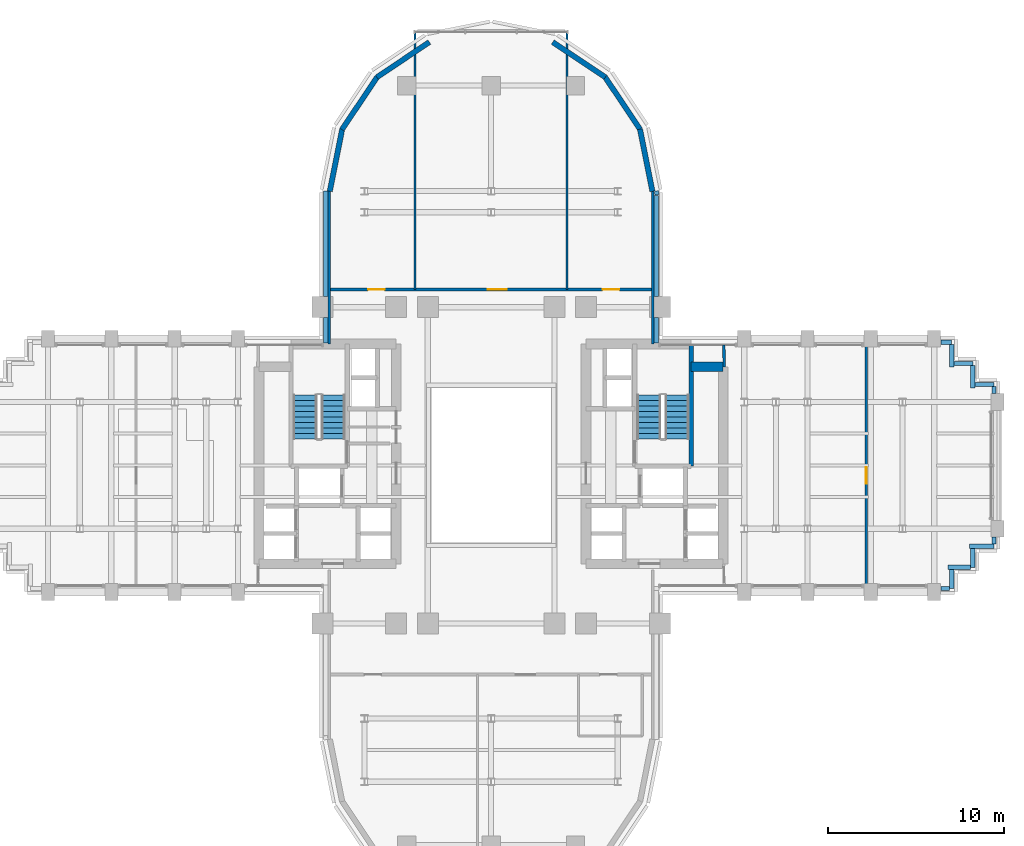
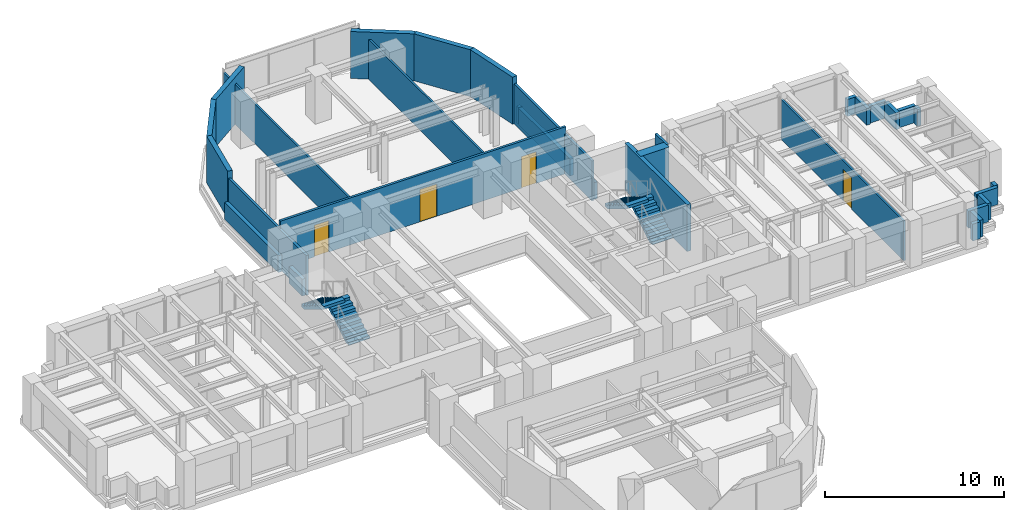
# One storey, part 12 of 16: 32 walls, 4 doors, 4 stair flights, 4 openings, 2 elements without a shape of their own.
"""IFC4 building model written with IfcOpenShell, lengths in metres."""

from ifc_helpers import new_model, si_unit, direction, frame, frame_2d, origin, place, context, subcontext, project, spatial, polyline, rectangle, outline, extrude, source, transform, mapped, material, layer, layer_set, type_object, element, fill, aggregate, save


model = new_model("IFC4")

# Units and contexts
model_context = context("Model", 3, precision=1e-05, world=origin(), true_north=direction((0.0, 1.0)))
body_context = subcontext(model_context, "Body", "Model", "MODEL_VIEW")
ifc_project = project(units=[si_unit("LENGTHUNIT", "METRE"), si_unit("AREAUNIT", "SQUARE_METRE"), si_unit("VOLUMEUNIT", "CUBIC_METRE"), si_unit("PLANEANGLEUNIT", "RADIAN"), si_unit("MASSUNIT", "GRAM", prefix="KILO")], contexts=[model_context])

# Site, building, storey
site_placement = place(None, origin())
site = spatial("IfcSite", under=ifc_project, at=site_placement, CompositionType="ELEMENT")
building_placement = place(site_placement, origin())
building = spatial("IfcBuilding", under=site, at=building_placement, Name="Keilestroom Media Tower", CompositionType="ELEMENT")
storey_placement = place(building_placement, frame((0.0, 0.0, 81.60009765625)))
storey = spatial("IfcBuildingStorey", under=building, at=storey_placement, Name="L21", CompositionType="ELEMENT", Elevation=81.60009765625)

# Walls
ifc_material_1 = material(Name="Precast concrete C40/50", Category="concrete")
ifc_layer_1 = layer(ifc_material_1, 0.300048828125)
ifc_layer_set_1 = layer_set([ifc_layer_1], Name="Precast concrete C40/50")
wall_type_1 = type_object("IfcWallType", Name="Exterior-Masonry-Spandrel-Wall-300", PredefinedType="SOLIDWALL", material=ifc_layer_set_1)
for number, where, z_axis, x_axis, name in (
    (1, (9.1748046875, 15.585205078125, 0.0), (0.0, 0.0, 1.0), (-0.195114232679, 0.980780523974, 0.0), "L21 Lobe Facet Precast Frame Wall 01"),
    (2, (8.48193359375, 19.097412109375, 0.0), (0.0, 0.0, 1.0), (-0.555574187116, 0.831466970246, 0.0), "L21 Lobe Facet Precast Frame Wall 02"),
):
    element("IfcWall", number, at=place(storey_placement, frame(where, z_axis=z_axis, x_axis=x_axis)), inside=storey, type_object=wall_type_1, Name=name, PredefinedType="SOLIDWALL", context=body_context, shape_type="SweptSolid", body=[
        extrude(rectangle(XDim=3.608642578125, YDim=0.300048828125, at=frame_2d((1.80419921875, 0.0))), origin(), (0.0, 0.0, 1.0), 3.199951171875),
    ])
for number, where, z_axis, x_axis, name in (
    (3, (6.497802734375, 22.0771484375, 0.0), (0.0, 0.0, 1.0), (-0.8314749531, 0.555562239868, 0.0), "L21 Lobe Facet Precast Frame Wall 03"),
    (4, (-3.510009765625, 24.073486328125, 0.0), (0.0, 0.0, 1.0), (-0.8314749531, -0.555562239868, 0.0), "L21 Lobe Facet Precast Frame Wall 04"),
):
    element("IfcWall", number, at=place(storey_placement, frame(where, z_axis=z_axis, x_axis=x_axis)), inside=storey, type_object=wall_type_1, Name=name, PredefinedType="SOLIDWALL", context=body_context, shape_type="SweptSolid", body=[
        extrude(rectangle(XDim=3.59326171875, YDim=0.300048828125, at=frame_2d((1.796630859375, 0.0))), origin(), (0.0, 0.0, 1.0), 3.199951171875),
    ])
for number, where, z_axis, x_axis, name in (
    (5, (-6.47705078125, 22.097900390625, 0.0), (0.0, 0.0, 1.0), (-0.555574187116, -0.831466970246, 0.0), "L21 Lobe Facet Precast Frame Wall 05"),
    (6, (-8.470703125, 19.12451171875, 0.0), (0.0, 0.0, 1.0), (-0.195114232679, -0.980780523974, 0.0), "L21 Lobe Facet Precast Frame Wall 06"),
):
    element("IfcWall", number, at=place(storey_placement, frame(where, z_axis=z_axis, x_axis=x_axis)), inside=storey, type_object=wall_type_1, Name=name, PredefinedType="SOLIDWALL", context=body_context, shape_type="SweptSolid", body=[
        extrude(rectangle(XDim=3.608642578125, YDim=0.300048828125, at=frame_2d((1.80419921875, 0.0))), origin(), (0.0, 0.0, 1.0), 3.199951171875),
    ])
ifc_material_2 = material(Name="Gypsum Plasterboard & Steel Stud", Category="steel")
ifc_layer_2 = layer(ifc_material_2, 0.1201171875)
ifc_layer_set_2 = layer_set([ifc_layer_2], Name="Gypsum Plasterboard & Steel Stud")
wall_type_2 = type_object("IfcWallType", Name="Interior-Partition-Wall-120", PredefinedType="PARTITIONING", material=ifc_layer_set_2)
for number, where, z_axis, x_axis, name in (
    (7, (-4.320068359375, 10.0, 0.0), (0.0, 0.0, 1.0), (0.0, 1.0, 0.0), "L21 Interior Wall WP-L21-NL-VW"),
    (8, (4.320068359375, 10.0, 0.0), (0.0, 0.0, 1.0), (0.0, 1.0, 0.0), "L21 Interior Wall WP-L21-NL-VE"),
):
    element("IfcWall", number, at=place(storey_placement, frame(where, z_axis=z_axis, x_axis=x_axis)), inside=storey, type_object=wall_type_2, Name=name, PredefinedType="PARTITIONING", context=body_context, shape_type="SweptSolid", body=[
        extrude(rectangle(XDim=14.64990234375, YDim=0.1201171875, at=frame_2d((7.324951171875, 0.0))), origin(), (0.0, 0.0, 1.0), 2.7099609375),
    ])

# Wall, opening, door
wall_1_placement = place(storey_placement, frame((21.340087890625, -6.85009765625, 0.0), z_axis=(0.0, 0.0, 1.0), x_axis=(0.0, 1.0, 0.0)))
wall_1 = element("IfcWall", 9, at=wall_1_placement, inside=storey, type_object=wall_type_2, Name="L21 Interior Wall WP-L21-EA-V", PredefinedType="PARTITIONING", context=body_context, shape_type="SweptSolid", body=[
    extrude(rectangle(XDim=13.7001953125, YDim=0.1201171875, at=frame_2d((6.85009765625, 0.0))), origin(), (0.0, 0.0, 1.0), 2.7099609375),
])
opening_1_placement = place(wall_1_placement, frame((5.800048828125, 0.0, 0.0)))
opening_1 = element("IfcOpeningElement", 10, at=opening_1_placement, cuts=wall_1, Name="Opening DI-03", PredefinedType="OPENING", context=body_context, shape_type="SweptSolid", body=[
    extrude(rectangle(XDim=0.949951171875, YDim=2.14990234375, at=frame_2d((0.47509765625, 1.074951171875))), frame((0.0, 0.070068359375, 0.0), z_axis=(0.0, -1.0, 0.0), x_axis=(1.0, 0.0, 0.0)), (0.0, 0.0, 1.0), 0.14013671875),
])
ifc_material_3 = material(Name="Lacquered European Oak Leaf", Category="wood")
door_type_1 = type_object("IfcDoorType", Name="Interior-Room-And-Suite-Door-DI-03", OperationType="NOTDEFINED", PredefinedType="DOOR", material=ifc_material_3)
shared_shape_1 = source(origin(), body_context, "Body", "SweptSolid", [
    extrude(rectangle(XDim=0.949951171875, YDim=2.14990234375, at=frame_2d((0.47509765625, 1.074951171875))), frame((0.0, 0.02490234375, 0.0), z_axis=(0.0, -1.0, 0.0), x_axis=(1.0, 0.0, 0.0)), (0.0, 0.0, 1.0), 0.050048828125),
])
door_1_placement = place(opening_1_placement, origin())
door_1 = element("IfcDoor", 11, at=door_1_placement, inside=storey, type_object=door_type_1, Name="L21 Interior Door DI-L21-DEA-E", OperationType="SINGLE_SWING_LEFT", OverallHeight=2.14990234375, OverallWidth=0.949951171875, PredefinedType="DOOR", context=body_context, shape_type="MappedRepresentation", body=[
    mapped(shared_shape_1, transform((0.0, 0.0, 0.0), x_axis=(1.0, 0.0, 0.0), y_axis=(0.0, 1.0, 0.0), z_axis=(0.0, 0.0, 1.0), scale=1.0)),
])
fill(opening_1, door_1)

# Wall, openings, doors
ifc_layer_3 = layer(ifc_material_2, 0.14990234375)
ifc_layer_set_3 = layer_set([ifc_layer_3], Name="Gypsum Plasterboard & Steel Stud")
wall_type_3 = type_object("IfcWallType", Name="Interior-Partition-Wall-150", PredefinedType="PARTITIONING", material=ifc_layer_set_3)
wall_2_placement = place(storey_placement, frame((-9.199951171875, 10.0, 0.0), z_axis=(0.0, 0.0, 1.0), x_axis=(1.0, 0.0, 0.0)))
wall_2 = element("IfcWall", 12, at=wall_2_placement, inside=storey, type_object=wall_type_3, Name="L21 Interior Wall WP-L21-NL-BASE", PredefinedType="PARTITIONING", context=body_context, shape_type="SweptSolid", body=[
    extrude(rectangle(XDim=18.39990234375, YDim=0.14990234375, at=frame_2d((9.199951171875, 0.0))), origin(), (0.0, 0.0, 1.0), 3.199951171875),
])
opening_2_placement = place(wall_2_placement, frame((2.199951171875, 0.0, 0.0)))
opening_2 = element("IfcOpeningElement", 13, at=opening_2_placement, cuts=wall_2, Name="Opening DI-03", PredefinedType="OPENING", context=body_context, shape_type="SweptSolid", body=[
    extrude(rectangle(XDim=0.949951171875, YDim=2.14990234375, at=frame_2d((0.47509765625, 1.074951171875))), frame((0.0, 0.0849609375, 0.0), z_axis=(0.0, -1.0, 0.0), x_axis=(1.0, 0.0, 0.0)), (0.0, 0.0, 1.0), 0.169921875),
])
opening_3_placement = place(wall_2_placement, frame((9.0, 0.0, 0.0)))
opening_3 = element("IfcOpeningElement", 14, at=opening_3_placement, cuts=wall_2, Name="Opening DI-04", PredefinedType="OPENING", context=body_context, shape_type="SweptSolid", body=[
    extrude(rectangle(XDim=1.10009765625, YDim=2.199951171875, at=frame_2d((0.550048828125, 1.10009765625))), frame((0.0, 0.0849609375, 0.0), z_axis=(0.0, -1.0, 0.0), x_axis=(1.0, 0.0, 0.0)), (0.0, 0.0, 1.0), 0.169921875),
])
opening_4_placement = place(wall_2_placement, frame((15.550048828125, 0.0, 0.0)))
opening_4 = element("IfcOpeningElement", 15, at=opening_4_placement, cuts=wall_2, Name="Opening DI-03", PredefinedType="OPENING", context=body_context, shape_type="SweptSolid", body=[
    extrude(rectangle(XDim=0.949951171875, YDim=2.14990234375, at=frame_2d((0.47509765625, 1.074951171875))), frame((0.0, 0.0849609375, 0.0), z_axis=(0.0, -1.0, 0.0), x_axis=(1.0, 0.0, 0.0)), (0.0, 0.0, 1.0), 0.169921875),
])
door_2_placement = place(opening_2_placement, origin())
door_2 = element("IfcDoor", 16, at=door_2_placement, inside=storey, type_object=door_type_1, Name="L21 Interior Door DI-L21-DNL-W", OperationType="SINGLE_SWING_RIGHT", OverallHeight=2.14990234375, OverallWidth=0.949951171875, PredefinedType="DOOR", context=body_context, shape_type="MappedRepresentation", body=[
    mapped(shared_shape_1, transform((0.0, 0.0, 0.0), x_axis=(1.0, 0.0, 0.0), y_axis=(0.0, 1.0, 0.0), z_axis=(0.0, 0.0, 1.0), scale=1.0)),
])
fill(opening_2, door_2)
door_3_placement = place(opening_4_placement, origin())
door_3 = element("IfcDoor", 17, at=door_3_placement, inside=storey, type_object=door_type_1, Name="L21 Interior Door DI-L21-DNL-E", OperationType="SINGLE_SWING_RIGHT", OverallHeight=2.14990234375, OverallWidth=0.949951171875, PredefinedType="DOOR", context=body_context, shape_type="MappedRepresentation", body=[
    mapped(shared_shape_1, transform((0.0, 0.0, 0.0), x_axis=(1.0, 0.0, 0.0), y_axis=(0.0, 1.0, 0.0), z_axis=(0.0, 0.0, 1.0), scale=1.0)),
])
fill(opening_4, door_3)
ifc_material_4 = material(Name="Acoustic Glazed Aluminium Leaf", Category="aluminium")
door_type_2 = type_object("IfcDoorType", Name="Interior-Room-And-Suite-Door-DI-04", OperationType="NOTDEFINED", PredefinedType="DOOR", material=ifc_material_4)
shared_shape_2 = source(origin(), body_context, "Body", "SweptSolid", [
    extrude(rectangle(XDim=1.10009765625, YDim=2.199951171875, at=frame_2d((0.550048828125, 1.10009765625))), frame((0.0, 0.02490234375, 0.0), z_axis=(0.0, -1.0, 0.0), x_axis=(1.0, 0.0, 0.0)), (0.0, 0.0, 1.0), 0.050048828125),
])
door_4_placement = place(opening_3_placement, origin())
door_4 = element("IfcDoor", 18, at=door_4_placement, inside=storey, type_object=door_type_2, Name="L21 Interior Door DI-L21-DNL-C", OperationType="SINGLE_SWING_LEFT", OverallHeight=2.199951171875, OverallWidth=1.10009765625, PredefinedType="DOOR", context=body_context, shape_type="MappedRepresentation", body=[
    mapped(shared_shape_2, transform((0.0, 0.0, 0.0), x_axis=(1.0, 0.0, 0.0), y_axis=(0.0, 1.0, 0.0), z_axis=(0.0, 0.0, 1.0), scale=1.0)),
])
fill(opening_3, door_4)

# Walls
for number, where, z_axis, x_axis, name in (
    (19, (-9.199951171875, 6.89990234375, 0.0), (0.0, 0.0, 1.0), (0.0, 1.0, 0.0), "L21 Interior Wall WP-L21-NL-CHKW"),
    (20, (9.199951171875, 6.89990234375, 0.0), (0.0, 0.0, 1.0), (0.0, 1.0, 0.0), "L21 Interior Wall WP-L21-NL-CHKE"),
):
    element("IfcWall", number, at=place(storey_placement, frame(where, z_axis=z_axis, x_axis=x_axis)), inside=storey, type_object=wall_type_3, Name=name, PredefinedType="PARTITIONING", context=body_context, shape_type="SweptSolid", body=[
        extrude(rectangle(XDim=8.780029296875, YDim=0.14990234375, at=frame_2d((4.39013671875, 0.0))), origin(), (0.0, 0.0, 1.0), 2.7099609375),
    ])
wall_3_placement = place(storey_placement, frame((13.260009765625, 5.60009765625, 0.0), z_axis=(0.0, 0.0, 1.0), x_axis=(-0.016013571389, 0.999871774545, 0.0)))
element("IfcWall", 21, at=wall_3_placement, inside=storey, type_object=wall_type_3, Name="L21 Interior Wall WP-L21-EA-ENTN", PredefinedType="PARTITIONING", context=body_context, shape_type="SweptSolid", body=[
    extrude(rectangle(XDim=1.250244140625, YDim=0.14990234375, at=frame_2d((0.625, 0.0))), origin(), (0.0, 0.0, 1.0), 3.199951171875),
])
ifc_material_5 = material(Name="Concrete C70/85", Category="concrete")
ifc_layer_4 = layer(ifc_material_5, 0.550048828125)
ifc_layer_set_4 = layer_set([ifc_layer_4], Name="Concrete C70/85")
wall_type_4 = type_object("IfcWallType", Name="Reinforced-Concrete-Core-Shear-Wall-550", PredefinedType="SHEAR", material=ifc_layer_set_4)
wall_4_placement = place(storey_placement, frame((11.381103515625, 5.60009765625, 0.0), z_axis=(0.0, 0.0, 1.0), x_axis=(1.0, 0.0, 0.0)))
element("IfcWall", 22, at=wall_4_placement, inside=storey, type_object=wall_type_4, Name="L21 Core Shear Wall WL-L21-CNE-N", PredefinedType="SHEAR", context=body_context, shape_type="SweptSolid", body=[
    extrude(rectangle(XDim=1.81884765625, YDim=0.550048828125, at=frame_2d((0.909423828125, 0.0))), origin(), (0.0, 0.0, 1.0), 3.199951171875),
])
ifc_material_6 = material(Name="Concrete C50/60", Category="concrete")
ifc_layer_5 = layer(ifc_material_6, 0.25)
ifc_layer_set_5 = layer_set([ifc_layer_5], Name="Concrete C50/60")
wall_type_5 = type_object("IfcWallType", Name="Reinforced-Concrete-Shaft-Wall-250", PredefinedType="SOLIDWALL", material=ifc_layer_set_5)
wall_5_placement = place(storey_placement, frame((11.381103515625, -0.041015625, 0.0), z_axis=(0.0, 0.0, 1.0), x_axis=(0.0, 1.0, 0.0)))
element("IfcWall", 23, at=wall_5_placement, inside=storey, type_object=wall_type_5, Name="L21 Core Shear Wall WL-L21-STW-E-FAR", PredefinedType="SOLIDWALL", context=body_context, shape_type="SweptSolid", body=[
    extrude(rectangle(XDim=6.94091796875, YDim=0.25, at=frame_2d((3.470458984375, 0.0))), origin(), (0.0, 0.0, 1.0), 3.199951171875),
])
ifc_layer_6 = layer(ifc_material_1, 0.239990234375)
ifc_layer_set_6 = layer_set([ifc_layer_6], Name="Precast concrete C40/50")
wall_type_6 = type_object("IfcWallType", Name="Roof-And-Terrace-Parapet-Wall-240", PredefinedType="PARAPET", material=ifc_layer_set_6)
wall_6_placement = place(storey_placement, frame((28.60009765625, -4.60009765625, 0.0), z_axis=(0.0, 0.0, 1.0), x_axis=(-1.0, 0.0, 0.0)))
element("IfcWall", 24, at=wall_6_placement, inside=storey, type_object=wall_type_6, Name="L21 Perimeter Edge Parapet Wall 01", PredefinedType="PARAPET", context=body_context, shape_type="SweptSolid", body=[
    extrude(rectangle(XDim=1.400146484375, YDim=0.239990234375, at=frame_2d((0.7001953125, 0.0))), origin(), (0.0, 0.0, 1.0), 1.14990234375),
])
wall_7_placement = place(storey_placement, frame((27.39990234375, -4.722900390625, 0.0), z_axis=(0.0, 0.0, 1.0), x_axis=(0.0, -1.0, 0.0)))
element("IfcWall", 25, at=wall_7_placement, inside=storey, type_object=wall_type_6, Name="L21 Perimeter Edge Parapet Wall 02", PredefinedType="PARAPET", context=body_context, shape_type="SweptSolid", body=[
    extrude(rectangle(XDim=1.0771484375, YDim=0.239990234375, at=frame_2d((0.53857421875, 0.0))), origin(), (0.0, 0.0, 1.0), 1.14990234375),
])
wall_8_placement = place(storey_placement, frame((27.277099609375, -5.800048828125, 0.0), z_axis=(0.0, 0.0, 1.0), x_axis=(-1.0, 0.0, 0.0)))
element("IfcWall", 26, at=wall_8_placement, inside=storey, type_object=wall_type_6, Name="L21 Perimeter Edge Parapet Wall 03", PredefinedType="PARAPET", context=body_context, shape_type="SweptSolid", body=[
    extrude(rectangle(XDim=1.277099609375, YDim=0.239990234375, at=frame_2d((0.638671875, 0.0))), origin(), (0.0, 0.0, 1.0), 1.14990234375),
])
wall_9_placement = place(storey_placement, frame((26.199951171875, -5.923095703125, 0.0), z_axis=(0.0, 0.0, 1.0), x_axis=(0.0, -1.0, 0.0)))
element("IfcWall", 27, at=wall_9_placement, inside=storey, type_object=wall_type_6, Name="L21 Perimeter Edge Parapet Wall 04", PredefinedType="PARAPET", context=body_context, shape_type="SweptSolid", body=[
    extrude(rectangle(XDim=1.076904296875, YDim=0.239990234375, at=frame_2d((0.53857421875, 0.0))), origin(), (0.0, 0.0, 1.0), 1.14990234375),
])
wall_10_placement = place(storey_placement, frame((26.076904296875, -7.0, 0.0), z_axis=(0.0, 0.0, 1.0), x_axis=(-1.0, 0.0, 0.0)))
element("IfcWall", 28, at=wall_10_placement, inside=storey, type_object=wall_type_6, Name="L21 Perimeter Edge Parapet Wall 05", PredefinedType="PARAPET", context=body_context, shape_type="SweptSolid", body=[
    extrude(rectangle(XDim=0.4990234375, YDim=0.239990234375, at=frame_2d((0.24951171875, 0.0))), origin(), (0.0, 0.0, 1.0), 1.14990234375),
])
wall_11_placement = place(storey_placement, frame((-9.39990234375, 6.952880859375, 0.0), z_axis=(0.0, 0.0, 1.0), x_axis=(0.0, 1.0, 0.0)))
element("IfcWall", 29, at=wall_11_placement, inside=storey, type_object=wall_type_6, Name="L21 Perimeter Edge Parapet Wall 24", PredefinedType="PARAPET", context=body_context, shape_type="SweptSolid", body=[
    extrude(rectangle(XDim=1.444091796875, YDim=0.239990234375, at=frame_2d((0.72216796875, 0.0))), origin(), (0.0, 0.0, 1.0), 1.14990234375),
])
wall_12_placement = place(storey_placement, frame((-9.39990234375, 9.60302734375, 0.0), z_axis=(0.0, 0.0, 1.0), x_axis=(0.0, 1.0, 0.0)))
element("IfcWall", 30, at=wall_12_placement, inside=storey, type_object=wall_type_6, Name="L21 Perimeter Edge Parapet Wall 25", PredefinedType="PARAPET", context=body_context, shape_type="SweptSolid", body=[
    extrude(rectangle(XDim=5.999755859375, YDim=0.239990234375, at=frame_2d((3.0, 0.0))), origin(), (0.0, 0.0, 1.0), 1.14990234375),
])
wall_13_placement = place(storey_placement, frame((9.395263671875, 15.604248046875, 0.0), z_axis=(0.0, 0.0, 1.0), x_axis=(0.194652052864, -0.980872355771, 0.0)))
element("IfcWall", 31, at=wall_13_placement, inside=storey, type_object=wall_type_6, Name="L21 Perimeter Edge Parapet Wall 26", PredefinedType="PARAPET", context=body_context, shape_type="SweptSolid", body=[
    extrude(rectangle(XDim=0.224609375, YDim=0.239990234375, at=frame_2d((0.1123046875, 0.0))), origin(), (0.0, 0.0, 1.0), 1.14990234375),
])
wall_14_placement = place(storey_placement, frame((9.39990234375, 15.357666015625, 0.0), z_axis=(0.0, 0.0, 1.0), x_axis=(0.0, -1.0, 0.0)))
element("IfcWall", 32, at=wall_14_placement, inside=storey, type_object=wall_type_6, Name="L21 Perimeter Edge Parapet Wall 27", PredefinedType="PARAPET", context=body_context, shape_type="SweptSolid", body=[
    extrude(rectangle(XDim=5.754638671875, YDim=0.239990234375, at=frame_2d((2.87744140625, 0.0))), origin(), (0.0, 0.0, 1.0), 1.14990234375),
])
wall_15_placement = place(storey_placement, frame((9.39990234375, 8.39697265625, 0.0), z_axis=(0.0, 0.0, 1.0), x_axis=(0.0, -1.0, 0.0)))
element("IfcWall", 33, at=wall_15_placement, inside=storey, type_object=wall_type_6, Name="L21 Perimeter Edge Parapet Wall 28", PredefinedType="PARAPET", context=body_context, shape_type="SweptSolid", body=[
    extrude(rectangle(XDim=1.444091796875, YDim=0.239990234375, at=frame_2d((0.72216796875, 0.0))), origin(), (0.0, 0.0, 1.0), 1.14990234375),
])
wall_16_placement = place(storey_placement, frame((25.577880859375, 7.0, 0.0), z_axis=(0.0, 0.0, 1.0), x_axis=(1.0, 0.0, 0.0)))
element("IfcWall", 34, at=wall_16_placement, inside=storey, type_object=wall_type_6, Name="L21 Perimeter Edge Parapet Wall 29", PredefinedType="PARAPET", context=body_context, shape_type="SweptSolid", body=[
    extrude(rectangle(XDim=0.6220703125, YDim=0.239990234375, at=frame_2d((0.31103515625, 0.0))), origin(), (0.0, 0.0, 1.0), 1.14990234375),
])
wall_17_placement = place(storey_placement, frame((26.199951171875, 6.876953125, 0.0), z_axis=(0.0, 0.0, 1.0), x_axis=(0.0, -1.0, 0.0)))
element("IfcWall", 35, at=wall_17_placement, inside=storey, type_object=wall_type_6, Name="L21 Perimeter Edge Parapet Wall 30", PredefinedType="PARAPET", context=body_context, shape_type="SweptSolid", body=[
    extrude(rectangle(XDim=1.27685546875, YDim=0.239990234375, at=frame_2d((0.638427734375, 0.0))), origin(), (0.0, 0.0, 1.0), 1.14990234375),
])
wall_18_placement = place(storey_placement, frame((26.322998046875, 5.800048828125, 0.0), z_axis=(0.0, 0.0, 1.0), x_axis=(1.0, 0.0, 0.0)))
element("IfcWall", 36, at=wall_18_placement, inside=storey, type_object=wall_type_6, Name="L21 Perimeter Edge Parapet Wall 31", PredefinedType="PARAPET", context=body_context, shape_type="SweptSolid", body=[
    extrude(rectangle(XDim=1.076904296875, YDim=0.239990234375, at=frame_2d((0.53857421875, 0.0))), origin(), (0.0, 0.0, 1.0), 1.14990234375),
])
wall_19_placement = place(storey_placement, frame((27.39990234375, 5.677001953125, 0.0), z_axis=(0.0, 0.0, 1.0), x_axis=(0.0, -1.0, 0.0)))
element("IfcWall", 37, at=wall_19_placement, inside=storey, type_object=wall_type_6, Name="L21 Perimeter Edge Parapet Wall 32", PredefinedType="PARAPET", context=body_context, shape_type="SweptSolid", body=[
    extrude(rectangle(XDim=1.277099609375, YDim=0.239990234375, at=frame_2d((0.638671875, 0.0))), origin(), (0.0, 0.0, 1.0), 1.14990234375),
])
wall_20_placement = place(storey_placement, frame((27.52294921875, 4.60009765625, 0.0), z_axis=(0.0, 0.0, 1.0), x_axis=(1.0, 0.0, 0.0)))
element("IfcWall", 38, at=wall_20_placement, inside=storey, type_object=wall_type_6, Name="L21 Perimeter Edge Parapet Wall 33", PredefinedType="PARAPET", context=body_context, shape_type="SweptSolid", body=[
    extrude(rectangle(XDim=1.0771484375, YDim=0.239990234375, at=frame_2d((0.53857421875, 0.0))), origin(), (0.0, 0.0, 1.0), 1.14990234375),
])
for number, where, z_axis, x_axis, name in (
    (39, (28.60009765625, 4.47705078125, 0.0), (0.0, 0.0, 1.0), (0.0, -1.0, 0.0), "L21 Perimeter Edge Parapet Wall 34"),
    (40, (28.60009765625, -4.077880859375, 0.0), (0.0, 0.0, 1.0), (0.0, -1.0, 0.0), "L21 Perimeter Edge Parapet Wall 35"),
):
    element("IfcWall", number, at=place(storey_placement, frame(where, z_axis=z_axis, x_axis=x_axis)), inside=storey, type_object=wall_type_6, Name=name, PredefinedType="PARAPET", context=body_context, shape_type="SweptSolid", body=[
        extrude(rectangle(XDim=0.399169921875, YDim=0.239990234375, at=frame_2d((0.19970703125, 0.0))), origin(), (0.0, 0.0, 1.0), 1.14990234375),
    ])

# Stair, stair flights
ifc_material_7 = material(Name="Concrete C45/55", Category="concrete")
stair_type = type_object("IfcStairType", Name="Enclosed-Dog-Leg-Stair-ST-CORE", PredefinedType="HALF_TURN_STAIR", material=ifc_material_7)
stair_1_placement = place(storey_placement, origin())
stair_1 = element("IfcStair", 41, at=stair_1_placement, inside=storey, type_object=stair_type, Name="L21 West Core Escape Stair ST-1", PredefinedType="HALF_TURN_STAIR")
stair_flight_type = type_object("IfcStairFlightType", Name="Precast-Concrete-Stair-Flight-Core-160", PredefinedType="STRAIGHT", material=ifc_material_1)
stair_flight_1_placement = place(storey_placement, frame((-8.97998046875, 1.5, 0.0), z_axis=(0.0, 0.0, 1.0), x_axis=(0.0, 1.0, 0.0)))
stair_flight_1 = element("IfcStairFlight", 42, at=stair_flight_1_placement, type_object=stair_flight_type, Name="ST-1 flight 1", NumberOfRisers=9, NumberOfTreads=8, PredefinedType="STRAIGHT", RiserHeight=0.188888889, TreadLength=0.312, context=body_context, shape_type="SweptSolid", body=[
    extrude(outline(polyline([(0.0, 0.0), (0.0, 0.18896484375), (0.31201171875, 0.18896484375), (0.31201171875, 0.377685546875), (0.6240234375, 0.377685546875), (0.6240234375, 0.566650390625), (0.93603515625, 0.566650390625), (0.93603515625, 0.755615234375), (1.248046875, 0.755615234375), (1.248046875, 0.9443359375), (1.56005859375, 0.9443359375), (1.56005859375, 1.13330078125), (1.8720703125, 1.13330078125), (1.8720703125, 1.322265625), (2.18408203125, 1.322265625), (2.18408203125, 1.51123046875), (2.49609375, 1.51123046875), (2.49609375, 1.699951171875), (2.49609375, 1.32421875), (0.308837890625, 0.0), (0.0, 0.0)])), frame((0.0, 0.68017578125, 0.0), z_axis=(0.0, -1.0, 0.0), x_axis=(1.0, 0.0, 0.0)), (0.0, 0.0, 1.0), 1.360107421875),
])
stair_flight_2_placement = place(storey_placement, frame((-10.580078125, 3.99609375, 1.699951171875), z_axis=(0.0, 0.0, 1.0), x_axis=(0.0, -1.0, 0.0)))
stair_flight_2 = element("IfcStairFlight", 43, at=stair_flight_2_placement, type_object=stair_flight_type, Name="ST-1 flight 2", NumberOfRisers=9, NumberOfTreads=8, PredefinedType="STRAIGHT", RiserHeight=0.188888889, TreadLength=0.312, context=body_context, shape_type="SweptSolid", body=[
    extrude(outline(polyline([(0.0, 0.0), (0.0, 0.18896484375), (0.31201171875, 0.18896484375), (0.31201171875, 0.377685546875), (0.6240234375, 0.377685546875), (0.6240234375, 0.566650390625), (0.93603515625, 0.566650390625), (0.93603515625, 0.755615234375), (1.248046875, 0.755615234375), (1.248046875, 0.9443359375), (1.56005859375, 0.9443359375), (1.56005859375, 1.13330078125), (1.8720703125, 1.13330078125), (1.8720703125, 1.322265625), (2.18408203125, 1.322265625), (2.18408203125, 1.51123046875), (2.49609375, 1.51123046875), (2.49609375, 1.699951171875), (2.49609375, 1.32421875), (0.308837890625, 0.0), (0.0, 0.0)])), frame((0.0, 0.68017578125, 0.0), z_axis=(0.0, -1.0, 0.0), x_axis=(1.0, 0.0, 0.0)), (0.0, 0.0, 1.0), 1.360107421875),
])
aggregate(stair_1, [stair_flight_1, stair_flight_2])

stair_2_placement = place(storey_placement, origin())
stair_2 = element("IfcStair", 44, at=stair_2_placement, inside=storey, type_object=stair_type, Name="L21 East Core Escape Stair ST-2", PredefinedType="HALF_TURN_STAIR")
stair_flight_3_placement = place(storey_placement, frame((10.580078125, 1.5, 0.0), z_axis=(0.0, 0.0, 1.0), x_axis=(0.0, 1.0, 0.0)))
stair_flight_3 = element("IfcStairFlight", 45, at=stair_flight_3_placement, type_object=stair_flight_type, Name="ST-2 flight 1", NumberOfRisers=9, NumberOfTreads=8, PredefinedType="STRAIGHT", RiserHeight=0.188888889, TreadLength=0.312, context=body_context, shape_type="SweptSolid", body=[
    extrude(outline(polyline([(0.0, 0.0), (0.0, 0.18896484375), (0.31201171875, 0.18896484375), (0.31201171875, 0.377685546875), (0.6240234375, 0.377685546875), (0.6240234375, 0.566650390625), (0.93603515625, 0.566650390625), (0.93603515625, 0.755615234375), (1.248046875, 0.755615234375), (1.248046875, 0.9443359375), (1.56005859375, 0.9443359375), (1.56005859375, 1.13330078125), (1.8720703125, 1.13330078125), (1.8720703125, 1.322265625), (2.18408203125, 1.322265625), (2.18408203125, 1.51123046875), (2.49609375, 1.51123046875), (2.49609375, 1.699951171875), (2.49609375, 1.32421875), (0.308837890625, 0.0), (0.0, 0.0)])), frame((0.0, 0.68017578125, 0.0), z_axis=(0.0, -1.0, 0.0), x_axis=(1.0, 0.0, 0.0)), (0.0, 0.0, 1.0), 1.360107421875),
])
stair_flight_4_placement = place(storey_placement, frame((8.97998046875, 3.99609375, 1.699951171875), z_axis=(0.0, 0.0, 1.0), x_axis=(0.0, -1.0, 0.0)))
stair_flight_4 = element("IfcStairFlight", 46, at=stair_flight_4_placement, type_object=stair_flight_type, Name="ST-2 flight 2", NumberOfRisers=9, NumberOfTreads=8, PredefinedType="STRAIGHT", RiserHeight=0.188888889, TreadLength=0.312, context=body_context, shape_type="SweptSolid", body=[
    extrude(outline(polyline([(0.0, 0.0), (0.0, 0.18896484375), (0.31201171875, 0.18896484375), (0.31201171875, 0.377685546875), (0.6240234375, 0.377685546875), (0.6240234375, 0.566650390625), (0.93603515625, 0.566650390625), (0.93603515625, 0.755615234375), (1.248046875, 0.755615234375), (1.248046875, 0.9443359375), (1.56005859375, 0.9443359375), (1.56005859375, 1.13330078125), (1.8720703125, 1.13330078125), (1.8720703125, 1.322265625), (2.18408203125, 1.322265625), (2.18408203125, 1.51123046875), (2.49609375, 1.51123046875), (2.49609375, 1.699951171875), (2.49609375, 1.32421875), (0.308837890625, 0.0), (0.0, 0.0)])), frame((0.0, 0.68017578125, 0.0), z_axis=(0.0, -1.0, 0.0), x_axis=(1.0, 0.0, 0.0)), (0.0, 0.0, 1.0), 1.360107421875),
])
aggregate(stair_2, [stair_flight_3, stair_flight_4])

save(model, "model.ifc")
